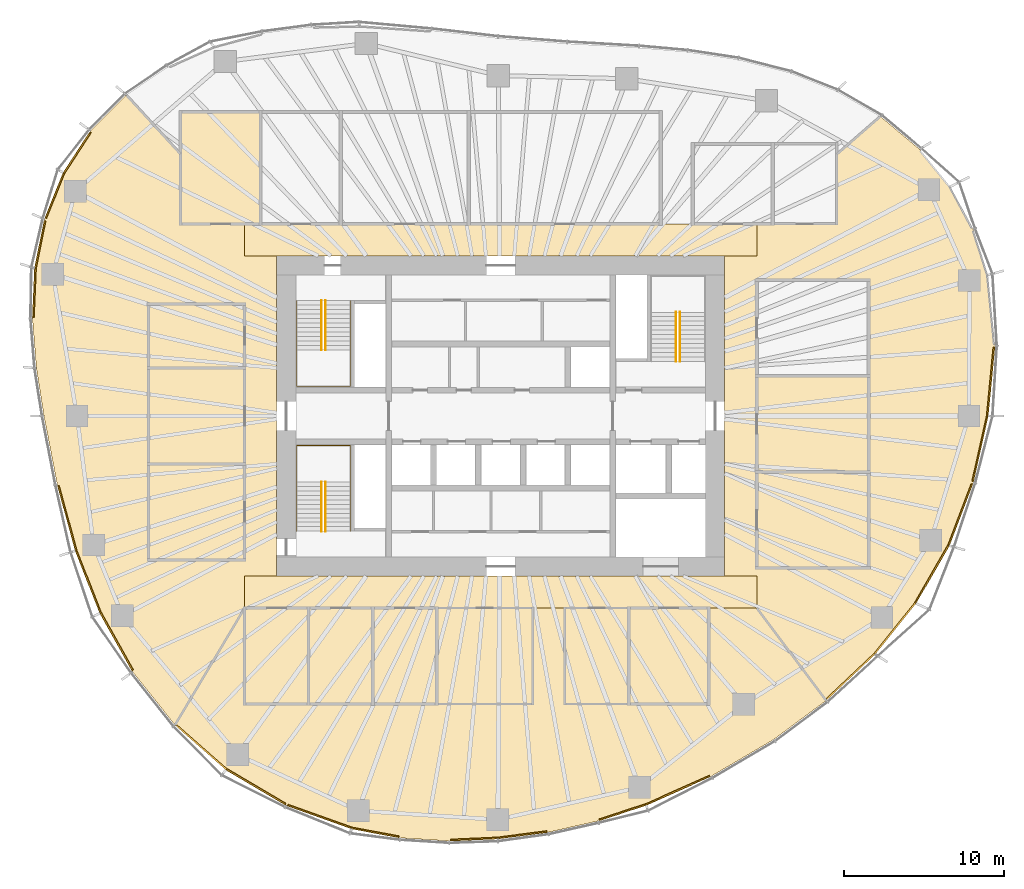
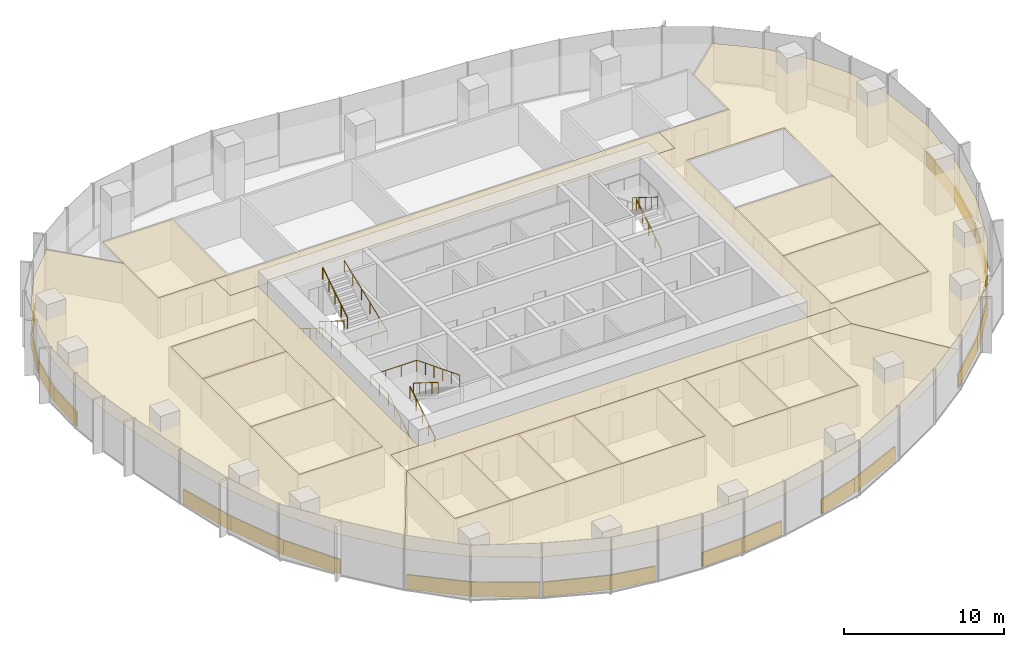
# One storey, part 17 of 18: 38 coverings, 8 railings.
"""IFC4 building model written with IfcOpenShell, lengths in metres."""

import ifcopenshell
import ifcopenshell.guid

model = None  # the IFC model being written
_history = None  # IfcOwnerHistory: only IFC2X3 demands one
_inside = {}  # id of a spatial element -> (the spatial element, [elements in it])
_under = {}  # id of a project, library or spatial element -> (it, [spatial elements below it])
_declared = {}  # id of a project -> (the project, [libraries it declares])
_typed = {}  # id of a type object -> (the type object, [elements of that type])
_made_of = {}  # id of a material, layer set ... -> (it, [elements and type objects made of it])


def new_model(schema):
    """Start an empty IFC model of exactly this schema.

    Asked for "IFC4X3", IfcOpenShell would pick the latest addendum, in which some entities
    have other attributes; the version numbers below select the first issue.
    IFC2X3 requires an IfcOwnerHistory on every rooted entity: one is made here for all.
    """
    global model, _history
    if schema == "IFC4X3":
        model = ifcopenshell.file(schema_version=(4, 3, 0, 0))
    else:
        model = ifcopenshell.file(schema=schema)
    _inside.clear()
    _under.clear()
    _declared.clear()
    _typed.clear()
    _made_of.clear()
    _history = None
    if model.schema == "IFC2X3":
        org = make("IfcOrganization", Name="unknown")
        user = make(
            "IfcPersonAndOrganization",
            ThePerson=make("IfcPerson", FamilyName="unknown"),
            TheOrganization=org,
        )
        app = make(
            "IfcApplication",
            ApplicationDeveloper=org,
            Version="unknown",
            ApplicationFullName="unknown",
            ApplicationIdentifier="unknown",
        )
        _history = make(
            "IfcOwnerHistory",
            OwningUser=user,
            OwningApplication=app,
            ChangeAction="ADDED",
            CreationDate=0,
        )
    return model


def make(cls, **values):
    """One entity of the class cls with the attributes given. An attribute that is None is left unset."""
    return model.create_entity(
        cls, **{name: value for name, value in values.items() if value is not None}
    )


def rooted(cls, **values):
    """An entity with a GlobalId (a new one), such as an element, a storey or a relation."""
    return make(cls, GlobalId=ifcopenshell.guid.new(), OwnerHistory=_history, **values)


def si_unit(unit_type, name, prefix=None):
    """IfcSIUnit, for example si_unit("LENGTHUNIT", "METRE", prefix="MILLI")."""
    return make("IfcSIUnit", UnitType=unit_type, Prefix=prefix, Name=name)


def assignment(units):
    """IfcUnitAssignment: the units of a project."""
    return None if units is None else make("IfcUnitAssignment", Units=units)


def point(xyz):
    """IfcCartesianPoint."""
    return None if xyz is None else make("IfcCartesianPoint", Coordinates=xyz)


def direction(xyz):
    """IfcDirection."""
    return None if xyz is None else make("IfcDirection", DirectionRatios=xyz)


def frame(location, z_axis=None, x_axis=None):
    """IfcAxis2Placement3D, a coordinate frame: its origin and axes. An axis left out is left unset."""
    return make(
        "IfcAxis2Placement3D",
        Location=point(location),
        Axis=direction(z_axis),
        RefDirection=direction(x_axis),
    )


def frame_2d(location, x_axis=None):
    """IfcAxis2Placement2D, a coordinate frame in the plane: its origin and x axis."""
    return make(
        "IfcAxis2Placement2D", Location=point(location), RefDirection=direction(x_axis)
    )


def origin():
    """The frame at (0, 0, 0) with its axes left unset."""
    return frame((0.0, 0.0, 0.0))


def origin_2d():
    """The frame at (0, 0) in the plane with its x axis left unset."""
    return frame_2d((0.0, 0.0))


def place(relative_to, where):
    """IfcLocalPlacement: puts the frame where relative to a parent placement (None: the world)."""
    return make(
        "IfcLocalPlacement", PlacementRelTo=relative_to, RelativePlacement=where
    )


def context(
    kind, dimensions, precision=None, world=None, true_north=None, identifier=None
):
    """IfcGeometricRepresentationContext, for example the 3D "Model" context."""
    return make(
        "IfcGeometricRepresentationContext",
        ContextIdentifier=identifier,
        ContextType=kind,
        CoordinateSpaceDimension=dimensions,
        Precision=precision,
        WorldCoordinateSystem=world,
        TrueNorth=true_north,
    )


def subcontext(parent, identifier, kind, view, scale=None):
    """IfcGeometricRepresentationSubContext, for example "Body" below "Model"."""
    return make(
        "IfcGeometricRepresentationSubContext",
        ContextIdentifier=identifier,
        ContextType=kind,
        ParentContext=parent,
        TargetScale=scale,
        TargetView=view,
    )


def project(units=None, contexts=None):
    """IfcProject with its units and contexts."""
    return rooted(
        "IfcProject",
        Name="project",
        RepresentationContexts=contexts,
        UnitsInContext=assignment(units),
    )


def spatial(cls, under=None, at=None, **own):
    """A site, building, storey or space (cls), placed at a placement, below another one or the project."""
    s = rooted(cls, ObjectPlacement=at, **own)
    if under is not None:
        _under.setdefault(under.id(), (under, []))[1].append(s)
    return s


def polyline(points):
    """IfcPolyline through the points."""
    return make("IfcPolyline", Points=[point(p) for p in points])


def profile(cls, at=None, kind="AREA", **sizes):
    """A parametric profile (cls). Its sizes go by their IFC names, for example OverallWidth=200.0."""
    return make(cls, ProfileType=kind, Position=at, **sizes)


def rectangle(**sizes):
    """IfcRectangleProfileDef."""
    return profile("IfcRectangleProfileDef", **sizes)


def circle(**sizes):
    """IfcCircleProfileDef."""
    return profile("IfcCircleProfileDef", **sizes)


def outline(outer, holes=None, kind="AREA"):
    """IfcArbitraryClosedProfileDef: a profile drawn as a closed curve; with holes, ...WithVoids."""
    if holes is None:
        return make("IfcArbitraryClosedProfileDef", ProfileType=kind, OuterCurve=outer)
    return make(
        "IfcArbitraryProfileDefWithVoids",
        ProfileType=kind,
        OuterCurve=outer,
        InnerCurves=holes,
    )


def extrude(swept, where, along, depth):
    """IfcExtrudedAreaSolid: the profile swept, set in the frame where, extruded along a direction by depth."""
    return make(
        "IfcExtrudedAreaSolid",
        SweptArea=swept,
        Position=where,
        ExtrudedDirection=direction(along),
        Depth=depth,
    )


def shape(context_of_items, identifier, shape_type, items):
    """IfcShapeRepresentation: the items that make up one representation, for example the "Body"."""
    return make(
        "IfcShapeRepresentation",
        ContextOfItems=context_of_items,
        RepresentationIdentifier=identifier,
        RepresentationType=shape_type,
        Items=items,
    )


def material(Name=None, Category=None):
    """IfcMaterial."""
    return make("IfcMaterial", Name=Name, Category=Category)


def layer(
    of_material, thickness, ventilated=None, Name=None, Category=None, Priority=None
):
    """IfcMaterialLayer: one layer of a wall or slab, of a material (None: an air gap)."""
    return make(
        "IfcMaterialLayer",
        Material=of_material,
        LayerThickness=thickness,
        IsVentilated=ventilated,
        Name=Name,
        Category=Category,
        Priority=Priority,
    )


def layer_set(layers, Name=None):
    """IfcMaterialLayerSet."""
    return make("IfcMaterialLayerSet", MaterialLayers=layers, LayerSetName=Name)


def made_of(thing, what):
    """Note that an element or type object is made of a material, layer set ...; save() writes the relation."""
    if what is not None:
        _made_of.setdefault(what.id(), (what, []))[1].append(thing)
    return thing


def type_object(cls, material=None, **own):
    """A type object (cls), such as IfcWallType, which elements share."""
    return made_of(rooted(cls, **own), material)


def element(
    cls,
    number,
    at=None,
    inside=None,
    cuts=None,
    type_object=None,
    material=None,
    context=None,
    identifier="Body",
    shape_type=None,
    held_by="IfcProductDefinitionShape",
    body=None,
    shapes=None,
    **own,
):
    """One element of the class cls, such as IfcWall. Its Tag is "e" and its number.

    at: its placement. inside: the storey or other place that contains it. cuts: it is an
    opening in that element (IfcRelVoidsElement). A single representation is given by context,
    identifier, shape_type and body (its items); several are given by shapes. held_by: the class
    of the entity that holds the representations. save() writes the other relations.
    """
    e = rooted(cls, Tag="e%d" % number, ObjectPlacement=at, **own)
    if body is not None:
        shapes = [shape(context, identifier, shape_type, body)]
    if shapes is not None:
        e.Representation = make(held_by, Representations=shapes)
    if inside is not None:
        _inside.setdefault(inside.id(), (inside, []))[1].append(e)
    if cuts is not None:
        rooted(
            "IfcRelVoidsElement", RelatingBuildingElement=cuts, RelatedOpeningElement=e
        )
    if type_object is not None:
        _typed.setdefault(type_object.id(), (type_object, []))[1].append(e)
    return made_of(e, material)


def aggregate(whole, parts):
    """IfcRelAggregates: a whole, such as a stair, and the parts it consists of."""
    return rooted("IfcRelAggregates", RelatingObject=whole, RelatedObjects=parts)


def save(model, path):
    """Write the relations noted so far, then the file.

    IfcRelAggregates (storeys below a building ...), IfcRelContainedInSpatialStructure (elements
    in a storey), IfcRelDefinesByType, IfcRelAssociatesMaterial and IfcRelDeclares: one each for
    every whole, place, type object, material and project.
    """
    for whole, parts in _under.values():
        aggregate(whole, parts)
    for where, things in _inside.values():
        rooted(
            "IfcRelContainedInSpatialStructure",
            RelatedElements=things,
            RelatingStructure=where,
        )
    for kind, things in _typed.values():
        rooted("IfcRelDefinesByType", RelatedObjects=things, RelatingType=kind)
    for what, things in _made_of.values():
        rooted("IfcRelAssociatesMaterial", RelatedObjects=things, RelatingMaterial=what)
    for by, libraries in _declared.values():
        rooted("IfcRelDeclares", RelatingContext=by, RelatedDefinitions=libraries)
    model.write(path)


model = new_model("IFC4")

# Units and contexts
model_context = context("Model", 3, precision=1e-05, world=origin(), true_north=direction((0.0, 1.0)))
body_context = subcontext(model_context, "Body", "Model", "MODEL_VIEW")
ifc_project = project(units=[si_unit("LENGTHUNIT", "METRE"), si_unit("AREAUNIT", "SQUARE_METRE"), si_unit("VOLUMEUNIT", "CUBIC_METRE"), si_unit("PLANEANGLEUNIT", "RADIAN"), si_unit("MASSUNIT", "GRAM", prefix="KILO")], contexts=[model_context])

# Site, building, storey
site_placement = place(None, origin())
site = spatial("IfcSite", under=ifc_project, at=site_placement, CompositionType="ELEMENT")
building_placement = place(site_placement, origin())
building = spatial("IfcBuilding", under=site, at=building_placement, Name="Ghaith Harvest Tower", CompositionType="ELEMENT")
storey_placement = place(building_placement, frame((0.0, 0.0, 176.39990234375)))
storey = spatial("IfcBuildingStorey", under=building, at=storey_placement, Name="L38", CompositionType="ELEMENT", Elevation=176.39990234375)

# Coverings
ifc_material_1 = material(Name="Mineral fibre ceiling tile", Category="gypsum")
ifc_layer_1 = layer(ifc_material_1, 0.02001953125)
ifc_layer_set_1 = layer_set([ifc_layer_1], Name="CEILING C1")
covering_type_1 = type_object("IfcCoveringType", Name="CEILING C1", PredefinedType="CEILING", material=ifc_layer_set_1)
covering_1_placement = place(storey_placement, frame((0.0, 0.0, 3.0)))
element("IfcCovering", 1, at=covering_1_placement, inside=storey, type_object=covering_type_1, Name="Ceiling L38-01", PredefinedType="CEILING", context=body_context, shape_type="SweptSolid", body=[
    extrude(outline(polyline([(-20.0, 12.0), (-15.0, 12.0), (-15.0, 19.0), (-20.0, 19.0), (-20.0, 12.0)])), origin(), (0.0, 0.0, 1.0), 0.02001953125),
])
covering_2_placement = place(storey_placement, frame((0.0, 0.0, 3.0)))
element("IfcCovering", 2, at=covering_2_placement, inside=storey, type_object=covering_type_1, Name="Ceiling L38-05", PredefinedType="CEILING", context=body_context, shape_type="SweptSolid", body=[
    extrude(outline(polyline([(16.0, -9.5), (23.0, -9.5), (23.0, -3.5), (16.0, -3.5), (16.0, -9.5)])), origin(), (0.0, 0.0, 1.0), 0.02001953125),
])
covering_3_placement = place(storey_placement, frame((0.0, 0.0, 3.0)))
element("IfcCovering", 3, at=covering_3_placement, inside=storey, type_object=covering_type_1, Name="Ceiling L38-06", PredefinedType="CEILING", context=body_context, shape_type="SweptSolid", body=[
    extrude(outline(polyline([(16.0, -3.5), (23.0, -3.5), (23.0, 2.5), (16.0, 2.5), (16.0, -3.5)])), origin(), (0.0, 0.0, 1.0), 0.02001953125),
])
covering_4_placement = place(storey_placement, frame((0.0, 0.0, 3.0)))
element("IfcCovering", 4, at=covering_4_placement, inside=storey, type_object=covering_type_1, Name="Ceiling L38-08", PredefinedType="CEILING", context=body_context, shape_type="SweptSolid", body=[
    extrude(outline(polyline([(-16.0, -18.0), (-12.0, -18.0), (-12.0, -12.0), (-16.0, -12.0), (-16.0, -18.0)])), origin(), (0.0, 0.0, 1.0), 0.02001953125),
])
covering_5_placement = place(storey_placement, frame((0.0, 0.0, 3.0)))
element("IfcCovering", 5, at=covering_5_placement, inside=storey, type_object=covering_type_1, Name="Ceiling L38-09", PredefinedType="CEILING", context=body_context, shape_type="SweptSolid", body=[
    extrude(outline(polyline([(-12.0, -18.0), (-8.0, -18.0), (-8.0, -12.0), (-12.0, -12.0), (-12.0, -18.0)])), origin(), (0.0, 0.0, 1.0), 0.02001953125),
])
covering_6_placement = place(storey_placement, frame((0.0, 0.0, 3.0)))
element("IfcCovering", 6, at=covering_6_placement, inside=storey, type_object=covering_type_1, Name="Ceiling L38-10", PredefinedType="CEILING", context=body_context, shape_type="SweptSolid", body=[
    extrude(outline(polyline([(-8.0, -18.0), (-4.0, -18.0), (-4.0, -12.0), (-8.0, -12.0), (-8.0, -18.0)])), origin(), (0.0, 0.0, 1.0), 0.02001953125),
])
covering_7_placement = place(storey_placement, frame((0.0, 0.0, 3.0)))
element("IfcCovering", 7, at=covering_7_placement, inside=storey, type_object=covering_type_1, Name="Ceiling L38-11", PredefinedType="CEILING", context=body_context, shape_type="SweptSolid", body=[
    extrude(outline(polyline([(-4.0, -18.0), (2.0, -18.0), (2.0, -12.0), (-4.0, -12.0), (-4.0, -18.0)])), origin(), (0.0, 0.0, 1.0), 0.02001953125),
])
covering_8_placement = place(storey_placement, frame((0.0, 0.0, 3.0)))
element("IfcCovering", 8, at=covering_8_placement, inside=storey, type_object=covering_type_1, Name="Ceiling L38-12", PredefinedType="CEILING", context=body_context, shape_type="SweptSolid", body=[
    extrude(outline(polyline([(4.0, -18.0), (8.0, -18.0), (8.0, -12.0), (4.0, -12.0), (4.0, -18.0)])), origin(), (0.0, 0.0, 1.0), 0.02001953125),
])
covering_9_placement = place(storey_placement, frame((0.0, 0.0, 3.0)))
element("IfcCovering", 9, at=covering_9_placement, inside=storey, type_object=covering_type_1, Name="Ceiling L38-13", PredefinedType="CEILING", context=body_context, shape_type="SweptSolid", body=[
    extrude(outline(polyline([(8.0, -18.0), (13.0, -18.0), (13.0, -12.0), (8.0, -12.0), (8.0, -18.0)])), origin(), (0.0, 0.0, 1.0), 0.02001953125),
])
covering_10_placement = place(storey_placement, frame((0.0, 0.0, 3.0)))
element("IfcCovering", 10, at=covering_10_placement, inside=storey, type_object=covering_type_1, Name="Ceiling L38-14", PredefinedType="CEILING", context=body_context, shape_type="SweptSolid", body=[
    extrude(outline(polyline([(-22.0, -9.0), (-16.0, -9.0), (-16.0, -3.0), (-22.0, -3.0), (-22.0, -9.0)])), origin(), (0.0, 0.0, 1.0), 0.02001953125),
])
covering_11_placement = place(storey_placement, frame((0.0, 0.0, 3.0)))
element("IfcCovering", 11, at=covering_11_placement, inside=storey, type_object=covering_type_1, Name="Ceiling L38-15", PredefinedType="CEILING", context=body_context, shape_type="SweptSolid", body=[
    extrude(outline(polyline([(-22.0, -3.0), (-16.0, -3.0), (-16.0, 3.0), (-22.0, 3.0), (-22.0, -3.0)])), origin(), (0.0, 0.0, 1.0), 0.02001953125),
])
covering_12_placement = place(storey_placement, frame((0.0, 0.0, 3.0)))
element("IfcCovering", 12, at=covering_12_placement, inside=storey, type_object=covering_type_1, Name="Ceiling L38-16", PredefinedType="CEILING", context=body_context, shape_type="SweptSolid", body=[
    extrude(outline(polyline([(-22.0, 3.0), (-16.0, 3.0), (-16.0, 7.0), (-22.0, 7.0), (-22.0, 3.0)])), origin(), (0.0, 0.0, 1.0), 0.02001953125),
])
covering_13_placement = place(storey_placement, frame((0.0, 0.0, 3.0)))
element("IfcCovering", 13, at=covering_13_placement, inside=storey, type_object=covering_type_1, Name="Ceiling L38-C1", PredefinedType="CEILING", context=body_context, shape_type="SweptSolid", body=[
    extrude(outline(polyline([(16.0, 10.0), (-16.0, 10.0), (-16.0, 12.0), (16.0, 12.0), (16.0, 10.0)])), origin(), (0.0, 0.0, 1.0), 0.02001953125),
])
covering_14_placement = place(storey_placement, frame((0.0, 0.0, 3.0)))
element("IfcCovering", 14, at=covering_14_placement, inside=storey, type_object=covering_type_1, Name="Ceiling L38-C2", PredefinedType="CEILING", context=body_context, shape_type="SweptSolid", body=[
    extrude(outline(polyline([(-16.0, -10.0), (16.0, -10.0), (16.0, -12.0), (-16.0, -12.0), (-16.0, -10.0)])), origin(), (0.0, 0.0, 1.0), 0.02001953125),
])
covering_15_placement = place(storey_placement, frame((0.0, 0.0, 3.0)))
element("IfcCovering", 15, at=covering_15_placement, inside=storey, type_object=covering_type_1, Name="Ceiling L38-E1", PredefinedType="CEILING", context=body_context, shape_type="SweptSolid", body=[
    extrude(outline(polyline([(26.179443359375, 16.660888671875), (28.0888671875, 14.32568359375), (29.52294921875, 11.671875), (30.439208984375, 8.797607421875), (30.8798828125, 4.373046875), (30.458740234375, 0.0), (29.527099609375, -4.181396484375), (28.03125, -8.1015625), (25.94775390625, -11.714111328125), (23.400390625, -14.89208984375), (20.33935546875, -17.784912109375), (16.0, -12.0), (16.0, -10.0), (14.0, -10.0), (14.0, 10.0), (16.0, 10.0), (16.0, 12.0), (21.0, 12.0), (21.0, 16.3466796875), (23.7275390625, 18.718017578125), (26.179443359375, 16.660888671875)]), holes=[polyline([(16.0, -9.5), (23.0, -9.5), (23.0, 8.5), (16.0, 8.5), (16.0, -9.5)])]), origin(), (0.0, 0.0, 1.0), 0.02001953125),
])
covering_16_placement = place(storey_placement, frame((0.0, 0.0, 3.0)))
element("IfcCovering", 16, at=covering_16_placement, inside=storey, type_object=covering_type_1, Name="Ceiling L38-S1", PredefinedType="CEILING", context=body_context, shape_type="SweptSolid", body=[
    extrude(outline(polyline([(17.054443359375, -20.22412109375), (13.163818359375, -22.510498046875), (9.09423828125, -24.326904296875), (6.09228515625, -25.308837890625), (2.99609375, -26.010009765625), (-0.180908203125, -26.423583984375), (-3.204833984375, -26.556884765625), (-6.2666015625, -26.366455078125), (-9.317138671875, -25.79638671875), (-13.4052734375, -24.33740234375), (-17.1728515625, -22.11181640625), (-20.35400390625, -19.31396484375), (-16.0, -12.0), (-16.0, -18.0), (2.0, -18.0), (2.0, -12.0), (4.0, -12.0), (4.0, -18.0), (13.0, -18.0), (13.0, -12.0), (16.0, -12.0), (20.33935546875, -17.784912109375), (17.054443359375, -20.22412109375)])), origin(), (0.0, 0.0, 1.0), 0.02001953125),
])
covering_17_placement = place(storey_placement, frame((0.0, 0.0, 3.0)))
element("IfcCovering", 17, at=covering_17_placement, inside=storey, type_object=covering_type_1, Name="Ceiling L38-W1", PredefinedType="CEILING", context=body_context, shape_type="SweptSolid", body=[
    extrude(outline(polyline([(-27.70947265625, -4.285888671875), (-28.541259765625, 0.0), (-29.01171875, 2.978271484375), (-29.260498046875, 6.07177734375), (-29.12646484375, 9.230712890625), (-28.506591796875, 12.29638671875), (-27.33837890625, 15.204833984375), (-25.61962890625, 17.826416015625), (-23.398193359375, 20.06103515625), (-20.0, 16.3583984375), (-20.0, 12.0), (-16.0, 12.0), (-16.0, 10.0), (-14.0, 10.0), (-14.0, -10.0), (-16.0, -10.0), (-16.0, -12.0), (-20.35400390625, -19.31396484375), (-22.99169921875, -15.997802734375), (-25.046875, -12.32861328125), (-26.580078125, -8.423583984375), (-27.70947265625, -4.285888671875)]), holes=[polyline([(-22.0, 7.0), (-22.0, -9.0), (-16.0, -9.0), (-16.0, 7.0), (-22.0, 7.0)])]), origin(), (0.0, 0.0, 1.0), 0.02001953125),
])

# Railings
ifc_material_2 = material(Name="Steel, black powder-coated", Category="steel")
railing_type = type_object("IfcRailingType", Name="HANDRAIL HR1", PredefinedType="HANDRAIL", material=ifc_material_2)
railing_1_placement = place(storey_placement, frame((-11.199951171875, 7.199951171875, 0.175048828125)))
element("IfcRailing", 18, at=railing_1_placement, inside=storey, type_object=railing_type, Name="Handrail HR1 stair ST1 L38 flight 1 inner", PredefinedType="HANDRAIL", context=body_context, shape_type="SweptSolid", body=[
    extrude(circle(Radius=0.02392578125, at=origin_2d()), frame((0.0, 0.0, 0.8759765625), z_axis=(0.0, -0.847979421464, 0.530029150871), x_axis=(1.0, 0.0, 0.0)), (0.0, 0.0, 1.0), 3.632080078125),
    extrude(circle(Radius=0.02099609375, at=origin_2d()), origin(), (0.0, 0.0, 1.0), 0.851806640625),
    extrude(circle(Radius=0.02099609375, at=origin_2d()), frame((0.0, -0.77001953125, 0.481201171875)), (0.0, 0.0, 1.0), 0.851806640625),
    extrude(circle(Radius=0.02099609375, at=origin_2d()), frame((0.0, -1.5400390625, 0.96240234375)), (0.0, 0.0, 1.0), 0.851806640625),
    extrude(circle(Radius=0.02099609375, at=origin_2d()), frame((0.0, -2.309814453125, 1.44384765625)), (0.0, 0.0, 1.0), 0.851806640625),
    extrude(circle(Radius=0.02099609375, at=origin_2d()), frame((0.0, -3.079833984375, 1.925048828125)), (0.0, 0.0, 1.0), 0.851806640625),
])
railing_2_placement = place(storey_placement, frame((-10.949951171875, 4.1201171875, 2.275146484375)))
element("IfcRailing", 19, at=railing_2_placement, inside=storey, type_object=railing_type, Name="Handrail HR1 stair ST1 L38 flight 2 inner", PredefinedType="HANDRAIL", context=body_context, shape_type="SweptSolid", body=[
    extrude(circle(Radius=0.02392578125, at=origin_2d()), frame((0.0, 0.0, 0.8759765625), z_axis=(0.0, 0.847979421464, 0.530029150871), x_axis=(-1.0, 0.0, 0.0)), (0.0, 0.0, 1.0), 3.632080078125),
    extrude(circle(Radius=0.02099609375, at=origin_2d()), origin(), (0.0, 0.0, 1.0), 0.851806640625),
    extrude(circle(Radius=0.02099609375, at=origin_2d()), frame((0.0, 0.77001953125, 0.481201171875)), (0.0, 0.0, 1.0), 0.851806640625),
    extrude(circle(Radius=0.02099609375, at=origin_2d()), frame((0.0, 1.5400390625, 0.96240234375)), (0.0, 0.0, 1.0), 0.851806640625),
    extrude(circle(Radius=0.02099609375, at=origin_2d()), frame((0.0, 2.309814453125, 1.44384765625)), (0.0, 0.0, 1.0), 0.851806640625),
    extrude(circle(Radius=0.02099609375, at=origin_2d()), frame((0.0, 3.079833984375, 1.925048828125)), (0.0, 0.0, 1.0), 0.851806640625),
])
railing_3_placement = place(storey_placement, frame((-12.75, 7.199951171875, 0.175048828125)))
element("IfcRailing", 20, at=railing_3_placement, inside=storey, type_object=railing_type, Name="Handrail HR1 stair ST1 L38 wall side", PredefinedType="HANDRAIL", context=body_context, shape_type="SweptSolid", body=[
    extrude(circle(Radius=0.02392578125, at=origin_2d()), frame((0.0, 0.0, 0.8759765625), z_axis=(0.0, -0.847979421464, 0.530029150871), x_axis=(1.0, 0.0, 0.0)), (0.0, 0.0, 1.0), 3.632080078125),
    extrude(circle(Radius=0.02392578125, at=origin_2d()), frame((0.0, -3.079833984375, 2.80078125), z_axis=(0.0, -1.0, 0.0), x_axis=(1.0, 0.0, 0.0)), (0.0, 0.0, 1.0), 2.27001953125),
    extrude(circle(Radius=0.02392578125, at=origin_2d()), frame((0.0, -5.349853515625, 2.80078125), z_axis=(1.0, 0.0, 0.0), x_axis=(0.0, 1.0, 0.0)), (0.0, 0.0, 1.0), 3.35009765625),
    extrude(circle(Radius=0.02392578125, at=origin_2d()), frame((3.35009765625, -5.349853515625, 2.80078125), z_axis=(0.0, 0.930848013298, 0.36540659017), x_axis=(-1.0, 0.0, 0.0)), (0.0, 0.0, 1.0), 5.747314453125),
    extrude(circle(Radius=0.02099609375, at=origin_2d()), origin(), (0.0, 0.0, 1.0), 0.851806640625),
    extrude(circle(Radius=0.02099609375, at=origin_2d()), frame((0.0, -0.77001953125, 0.481201171875)), (0.0, 0.0, 1.0), 0.851806640625),
    extrude(circle(Radius=0.02099609375, at=origin_2d()), frame((0.0, -1.5400390625, 0.96240234375)), (0.0, 0.0, 1.0), 0.851806640625),
    extrude(circle(Radius=0.02099609375, at=origin_2d()), frame((0.0, -2.309814453125, 1.44384765625)), (0.0, 0.0, 1.0), 0.851806640625),
    extrude(circle(Radius=0.02099609375, at=origin_2d()), frame((0.0, -3.079833984375, 1.925048828125)), (0.0, 0.0, 1.0), 0.851806640625),
    extrude(circle(Radius=0.02099609375, at=origin_2d()), frame((0.0, -4.21484375, 1.925048828125)), (0.0, 0.0, 1.0), 0.851806640625),
    extrude(circle(Radius=0.02099609375, at=origin_2d()), frame((0.0, -5.349853515625, 1.925048828125)), (0.0, 0.0, 1.0), 0.851806640625),
    extrude(circle(Radius=0.02099609375, at=origin_2d()), frame((1.11669921875, -5.349853515625, 1.925048828125)), (0.0, 0.0, 1.0), 0.851806640625),
    extrude(circle(Radius=0.02099609375, at=origin_2d()), frame((2.2333984375, -5.349853515625, 1.925048828125)), (0.0, 0.0, 1.0), 0.851806640625),
    extrude(circle(Radius=0.02099609375, at=origin_2d()), frame((3.35009765625, -5.349853515625, 1.925048828125)), (0.0, 0.0, 1.0), 0.851806640625),
    extrude(circle(Radius=0.02099609375, at=origin_2d()), frame((3.35009765625, -4.27978515625, 2.344970703125)), (0.0, 0.0, 1.0), 0.851806640625),
    extrude(circle(Radius=0.02099609375, at=origin_2d()), frame((3.35009765625, -3.2099609375, 2.76513671875)), (0.0, 0.0, 1.0), 0.851806640625),
    extrude(circle(Radius=0.02099609375, at=origin_2d()), frame((3.35009765625, -2.139892578125, 3.18505859375)), (0.0, 0.0, 1.0), 0.851806640625),
    extrude(circle(Radius=0.02099609375, at=origin_2d()), frame((3.35009765625, -1.070068359375, 3.605224609375)), (0.0, 0.0, 1.0), 0.851806640625),
    extrude(circle(Radius=0.02099609375, at=origin_2d()), frame((3.35009765625, 0.0, 4.025146484375)), (0.0, 0.0, 1.0), 0.851806640625),
])
railing_4_placement = place(storey_placement, frame((-11.199951171875, -7.199951171875, 0.175048828125)))
element("IfcRailing", 21, at=railing_4_placement, inside=storey, type_object=railing_type, Name="Handrail HR1 stair ST3 L38 flight 1 inner", PredefinedType="HANDRAIL", context=body_context, shape_type="SweptSolid", body=[
    extrude(circle(Radius=0.02392578125, at=origin_2d()), frame((0.0, 0.0, 0.8759765625), z_axis=(0.0, 0.847979421464, 0.530029150871), x_axis=(-1.0, 0.0, 0.0)), (0.0, 0.0, 1.0), 3.632080078125),
    extrude(circle(Radius=0.02099609375, at=origin_2d()), origin(), (0.0, 0.0, 1.0), 0.851806640625),
    extrude(circle(Radius=0.02099609375, at=origin_2d()), frame((0.0, 0.77001953125, 0.481201171875)), (0.0, 0.0, 1.0), 0.851806640625),
    extrude(circle(Radius=0.02099609375, at=origin_2d()), frame((0.0, 1.5400390625, 0.96240234375)), (0.0, 0.0, 1.0), 0.851806640625),
    extrude(circle(Radius=0.02099609375, at=origin_2d()), frame((0.0, 2.309814453125, 1.44384765625)), (0.0, 0.0, 1.0), 0.851806640625),
    extrude(circle(Radius=0.02099609375, at=origin_2d()), frame((0.0, 3.079833984375, 1.925048828125)), (0.0, 0.0, 1.0), 0.851806640625),
])
railing_5_placement = place(storey_placement, frame((-10.949951171875, -4.1201171875, 2.275146484375)))
element("IfcRailing", 22, at=railing_5_placement, inside=storey, type_object=railing_type, Name="Handrail HR1 stair ST3 L38 flight 2 inner", PredefinedType="HANDRAIL", context=body_context, shape_type="SweptSolid", body=[
    extrude(circle(Radius=0.02392578125, at=origin_2d()), frame((0.0, 0.0, 0.8759765625), z_axis=(0.0, -0.847979421464, 0.530029150871), x_axis=(1.0, 0.0, 0.0)), (0.0, 0.0, 1.0), 3.632080078125),
    extrude(circle(Radius=0.02099609375, at=origin_2d()), origin(), (0.0, 0.0, 1.0), 0.851806640625),
    extrude(circle(Radius=0.02099609375, at=origin_2d()), frame((0.0, -0.77001953125, 0.481201171875)), (0.0, 0.0, 1.0), 0.851806640625),
    extrude(circle(Radius=0.02099609375, at=origin_2d()), frame((0.0, -1.5400390625, 0.96240234375)), (0.0, 0.0, 1.0), 0.851806640625),
    extrude(circle(Radius=0.02099609375, at=origin_2d()), frame((0.0, -2.309814453125, 1.44384765625)), (0.0, 0.0, 1.0), 0.851806640625),
    extrude(circle(Radius=0.02099609375, at=origin_2d()), frame((0.0, -3.079833984375, 1.925048828125)), (0.0, 0.0, 1.0), 0.851806640625),
])
railing_6_placement = place(storey_placement, frame((-12.75, -7.199951171875, 0.175048828125)))
element("IfcRailing", 23, at=railing_6_placement, inside=storey, type_object=railing_type, Name="Handrail HR1 stair ST3 L38 wall side", PredefinedType="HANDRAIL", context=body_context, shape_type="SweptSolid", body=[
    extrude(circle(Radius=0.02392578125, at=origin_2d()), frame((0.0, 0.0, 0.8759765625), z_axis=(0.0, 0.847979421464, 0.530029150871), x_axis=(-1.0, 0.0, 0.0)), (0.0, 0.0, 1.0), 3.632080078125),
    extrude(circle(Radius=0.02392578125, at=origin_2d()), frame((0.0, 3.079833984375, 2.80078125), z_axis=(0.0, 1.0, 0.0), x_axis=(-1.0, 0.0, 0.0)), (0.0, 0.0, 1.0), 2.27001953125),
    extrude(circle(Radius=0.02392578125, at=origin_2d()), frame((0.0, 5.349853515625, 2.80078125), z_axis=(1.0, 0.0, 0.0), x_axis=(0.0, 1.0, 0.0)), (0.0, 0.0, 1.0), 3.35009765625),
    extrude(circle(Radius=0.02392578125, at=origin_2d()), frame((3.35009765625, 5.349853515625, 2.80078125), z_axis=(0.0, -0.930848013298, 0.36540659017), x_axis=(1.0, 0.0, 0.0)), (0.0, 0.0, 1.0), 5.747314453125),
    extrude(circle(Radius=0.02099609375, at=origin_2d()), origin(), (0.0, 0.0, 1.0), 0.851806640625),
    extrude(circle(Radius=0.02099609375, at=origin_2d()), frame((0.0, 0.77001953125, 0.481201171875)), (0.0, 0.0, 1.0), 0.851806640625),
    extrude(circle(Radius=0.02099609375, at=origin_2d()), frame((0.0, 1.5400390625, 0.96240234375)), (0.0, 0.0, 1.0), 0.851806640625),
    extrude(circle(Radius=0.02099609375, at=origin_2d()), frame((0.0, 2.309814453125, 1.44384765625)), (0.0, 0.0, 1.0), 0.851806640625),
    extrude(circle(Radius=0.02099609375, at=origin_2d()), frame((0.0, 3.079833984375, 1.925048828125)), (0.0, 0.0, 1.0), 0.851806640625),
    extrude(circle(Radius=0.02099609375, at=origin_2d()), frame((0.0, 4.21484375, 1.925048828125)), (0.0, 0.0, 1.0), 0.851806640625),
    extrude(circle(Radius=0.02099609375, at=origin_2d()), frame((0.0, 5.349853515625, 1.925048828125)), (0.0, 0.0, 1.0), 0.851806640625),
    extrude(circle(Radius=0.02099609375, at=origin_2d()), frame((1.11669921875, 5.349853515625, 1.925048828125)), (0.0, 0.0, 1.0), 0.851806640625),
    extrude(circle(Radius=0.02099609375, at=origin_2d()), frame((2.2333984375, 5.349853515625, 1.925048828125)), (0.0, 0.0, 1.0), 0.851806640625),
    extrude(circle(Radius=0.02099609375, at=origin_2d()), frame((3.35009765625, 5.349853515625, 1.925048828125)), (0.0, 0.0, 1.0), 0.851806640625),
    extrude(circle(Radius=0.02099609375, at=origin_2d()), frame((3.35009765625, 4.27978515625, 2.344970703125)), (0.0, 0.0, 1.0), 0.851806640625),
    extrude(circle(Radius=0.02099609375, at=origin_2d()), frame((3.35009765625, 3.2099609375, 2.76513671875)), (0.0, 0.0, 1.0), 0.851806640625),
    extrude(circle(Radius=0.02099609375, at=origin_2d()), frame((3.35009765625, 2.139892578125, 3.18505859375)), (0.0, 0.0, 1.0), 0.851806640625),
    extrude(circle(Radius=0.02099609375, at=origin_2d()), frame((3.35009765625, 1.070068359375, 3.605224609375)), (0.0, 0.0, 1.0), 0.851806640625),
    extrude(circle(Radius=0.02099609375, at=origin_2d()), frame((3.35009765625, 0.0, 4.025146484375)), (0.0, 0.0, 1.0), 0.851806640625),
])
railing_7_placement = place(storey_placement, frame((11.199951171875, 3.39990234375, 0.175048828125)))
element("IfcRailing", 24, at=railing_7_placement, inside=storey, type_object=railing_type, Name="Handrail HR1 stair ST2 L38 flight 1 inner", PredefinedType="HANDRAIL", context=body_context, shape_type="SweptSolid", body=[
    extrude(circle(Radius=0.02392578125, at=origin_2d()), frame((0.0, 0.0, 0.8759765625), z_axis=(0.0, 0.847998304005, 0.529998940003), x_axis=(-1.0, 0.0, 0.0)), (0.0, 0.0, 1.0), 3.632080078125),
    extrude(circle(Radius=0.02099609375, at=origin_2d()), origin(), (0.0, 0.0, 1.0), 0.851806640625),
    extrude(circle(Radius=0.02099609375, at=origin_2d()), frame((0.0, 0.77001953125, 0.481201171875)), (0.0, 0.0, 1.0), 0.851806640625),
    extrude(circle(Radius=0.02099609375, at=origin_2d()), frame((0.0, 1.5400390625, 0.96240234375)), (0.0, 0.0, 1.0), 0.851806640625),
    extrude(circle(Radius=0.02099609375, at=origin_2d()), frame((0.0, 2.31005859375, 1.44384765625)), (0.0, 0.0, 1.0), 0.851806640625),
    extrude(circle(Radius=0.02099609375, at=origin_2d()), frame((0.0, 3.080078125, 1.925048828125)), (0.0, 0.0, 1.0), 0.851806640625),
])
railing_8_placement = place(storey_placement, frame((10.949951171875, 6.47998046875, 2.275146484375)))
element("IfcRailing", 25, at=railing_8_placement, inside=storey, type_object=railing_type, Name="Handrail HR1 stair ST2 L38 flight 2 inner", PredefinedType="HANDRAIL", context=body_context, shape_type="SweptSolid", body=[
    extrude(circle(Radius=0.02392578125, at=origin_2d()), frame((0.0, 0.0, 0.8759765625), z_axis=(0.0, -0.847998304005, 0.529998940003), x_axis=(1.0, 0.0, 0.0)), (0.0, 0.0, 1.0), 3.632080078125),
    extrude(circle(Radius=0.02099609375, at=origin_2d()), origin(), (0.0, 0.0, 1.0), 0.851806640625),
    extrude(circle(Radius=0.02099609375, at=origin_2d()), frame((0.0, -0.77001953125, 0.481201171875)), (0.0, 0.0, 1.0), 0.851806640625),
    extrude(circle(Radius=0.02099609375, at=origin_2d()), frame((0.0, -1.5400390625, 0.96240234375)), (0.0, 0.0, 1.0), 0.851806640625),
    extrude(circle(Radius=0.02099609375, at=origin_2d()), frame((0.0, -2.31005859375, 1.44384765625)), (0.0, 0.0, 1.0), 0.851806640625),
    extrude(circle(Radius=0.02099609375, at=origin_2d()), frame((0.0, -3.080078125, 1.925048828125)), (0.0, 0.0, 1.0), 0.851806640625),
])

# Coverings
ifc_material_3 = material(Name="Insulated aluminium spandrel panel on steel framing", Category="steel")
ifc_layer_2 = layer(ifc_material_3, 0.10009765625)
ifc_layer_set_2 = layer_set([ifc_layer_2], Name="SLAB EDGE UPSTAND 1100x100")
covering_type_2 = type_object("IfcCoveringType", Name="SLAB EDGE UPSTAND 1100x100", PredefinedType="CLADDING", material=ifc_layer_set_2)
covering_18_placement = place(storey_placement, frame((30.61474609375, 2.1416015625, 0.0), z_axis=(0.0, 0.0, 1.0), x_axis=(0.095861332319, 0.99539469808, 0.0)))
element("IfcCovering", 26, at=covering_18_placement, inside=storey, type_object=covering_type_2, Name="Slab edge upstand 1 bay 01 L38", PredefinedType="CLADDING", context=body_context, shape_type="SweptSolid", body=[
    extrude(rectangle(XDim=4.293212890625, YDim=0.10009765625, at=origin_2d()), origin(), (0.0, 0.0, 1.0), 1.10009765625),
])
covering_19_placement = place(storey_placement, frame((-26.464599609375, 16.4462890625, 0.0), z_axis=(0.0, 0.0, 1.0), x_axis=(-0.548312211554, -0.836273710373, 0.0)))
element("IfcCovering", 27, at=covering_19_placement, inside=storey, type_object=covering_type_2, Name="Slab edge upstand 1 bay 09 L38", PredefinedType="CLADDING", context=body_context, shape_type="SweptSolid", body=[
    extrude(rectangle(XDim=3.03466796875, YDim=0.10009765625, at=origin_2d()), origin(), (0.0, 0.0, 1.0), 1.10009765625),
])
covering_20_placement = place(storey_placement, frame((-27.857421875, 13.7783203125, 0.0), z_axis=(0.0, 0.0, 1.0), x_axis=(-0.372732078847, -0.927939005215, 0.0)))
element("IfcCovering", 28, at=covering_20_placement, inside=storey, type_object=covering_type_2, Name="Slab edge upstand 2 bay 09 L38", PredefinedType="CLADDING", context=body_context, shape_type="SweptSolid", body=[
    extrude(rectangle(XDim=3.034423828125, YDim=0.10009765625, at=origin_2d()), origin(), (0.0, 0.0, 1.0), 1.10009765625),
])
covering_21_placement = place(storey_placement, frame((-28.777587890625, 10.70458984375, 0.0), z_axis=(0.0, 0.0, 1.0), x_axis=(-0.198182542943, -0.980165128778, 0.0)))
element("IfcCovering", 29, at=covering_21_placement, inside=storey, type_object=covering_type_2, Name="Slab edge upstand 3 bay 09 L38", PredefinedType="CLADDING", context=body_context, shape_type="SweptSolid", body=[
    extrude(rectangle(XDim=3.027587890625, YDim=0.10009765625, at=origin_2d()), origin(), (0.0, 0.0, 1.0), 1.10009765625),
])
covering_22_placement = place(storey_placement, frame((-29.141357421875, 7.69921875, 0.0), z_axis=(0.0, 0.0, 1.0), x_axis=(-0.042372799788, -0.9991018696, 0.0)))
element("IfcCovering", 30, at=covering_22_placement, inside=storey, type_object=covering_type_2, Name="Slab edge upstand 1 bay 10 L38", PredefinedType="CLADDING", context=body_context, shape_type="SweptSolid", body=[
    extrude(rectangle(XDim=3.061767578125, YDim=0.10009765625, at=origin_2d()), origin(), (0.0, 0.0, 1.0), 1.10009765625),
])
covering_23_placement = place(storey_placement, frame((-27.08349609375, -6.389892578125, 0.0), z_axis=(0.0, 0.0, 1.0), x_axis=(0.263287721652, -0.964717355305, 0.0)))
element("IfcCovering", 31, at=covering_23_placement, inside=storey, type_object=covering_type_2, Name="Slab edge upstand 2 bay 11 L38", PredefinedType="CLADDING", context=body_context, shape_type="SweptSolid", body=[
    extrude(rectangle(XDim=4.189208984375, YDim=0.10009765625, at=origin_2d()), origin(), (0.0, 0.0, 1.0), 1.10009765625),
])
covering_24_placement = place(storey_placement, frame((-25.76708984375, -10.35791015625, 0.0), z_axis=(0.0, 0.0, 1.0), x_axis=(0.365514970008, -0.930805461254, 0.0)))
element("IfcCovering", 32, at=covering_24_placement, inside=storey, type_object=covering_type_2, Name="Slab edge upstand 1 bay 12 L38", PredefinedType="CLADDING", context=body_context, shape_type="SweptSolid", body=[
    extrude(rectangle(XDim=4.195068359375, YDim=0.10009765625, at=origin_2d()), origin(), (0.0, 0.0, 1.0), 1.10009765625),
])
covering_25_placement = place(storey_placement, frame((-24.0, -14.09521484375, 0.0), z_axis=(0.0, 0.0, 1.0), x_axis=(0.488683758288, -0.872460993045, 0.0)))
element("IfcCovering", 33, at=covering_25_placement, inside=storey, type_object=covering_type_2, Name="Slab edge upstand 2 bay 12 L38", PredefinedType="CLADDING", context=body_context, shape_type="SweptSolid", body=[
    extrude(rectangle(XDim=4.10546875, YDim=0.10009765625, at=origin_2d()), origin(), (0.0, 0.0, 1.0), 1.10009765625),
])
covering_26_placement = place(storey_placement, frame((-18.69287109375, -20.70849609375, 0.0), z_axis=(0.0, 0.0, 1.0), x_axis=(0.75089221411, -0.660424774511, 0.0)))
element("IfcCovering", 34, at=covering_26_placement, inside=storey, type_object=covering_type_2, Name="Slab edge upstand 2 bay 13 L38", PredefinedType="CLADDING", context=body_context, shape_type="SweptSolid", body=[
    extrude(rectangle(XDim=4.136474609375, YDim=0.10009765625, at=origin_2d()), origin(), (0.0, 0.0, 1.0), 1.10009765625),
])
covering_27_placement = place(storey_placement, frame((-15.306640625, -23.15625, 0.0), z_axis=(0.0, 0.0, 1.0), x_axis=(0.861020519069, -0.508570217121, 0.0)))
element("IfcCovering", 35, at=covering_27_placement, inside=storey, type_object=covering_type_2, Name="Slab edge upstand 1 bay 14 L38", PredefinedType="CLADDING", context=body_context, shape_type="SweptSolid", body=[
    extrude(rectangle(XDim=4.27587890625, YDim=0.10009765625, at=origin_2d()), origin(), (0.0, 0.0, 1.0), 1.10009765625),
])
covering_28_placement = place(storey_placement, frame((-11.29736328125, -25.03662109375, 0.0), z_axis=(0.0, 0.0, 1.0), x_axis=(0.941807015649, -0.336154049915, 0.0)))
element("IfcCovering", 36, at=covering_28_placement, inside=storey, type_object=covering_type_2, Name="Slab edge upstand 2 bay 14 L38", PredefinedType="CLADDING", context=body_context, shape_type="SweptSolid", body=[
    extrude(rectangle(XDim=4.24072265625, YDim=0.10009765625, at=origin_2d()), origin(), (0.0, 0.0, 1.0), 1.10009765625),
])
covering_29_placement = place(storey_placement, frame((-7.831787109375, -26.023193359375, 0.0), z_axis=(0.0, 0.0, 1.0), x_axis=(0.982990071164, -0.183658705191, 0.0)))
element("IfcCovering", 37, at=covering_29_placement, inside=storey, type_object=covering_type_2, Name="Slab edge upstand 1 bay 15 L38", PredefinedType="CLADDING", context=body_context, shape_type="SweptSolid", body=[
    extrude(rectangle(XDim=3.003173828125, YDim=0.10009765625, at=origin_2d()), origin(), (0.0, 0.0, 1.0), 1.10009765625),
])
covering_30_placement = place(storey_placement, frame((-1.64501953125, -26.43798828125, 0.0), z_axis=(0.0, 0.0, 1.0), x_axis=(0.999029547734, 0.044045008275, 0.0)))
element("IfcCovering", 38, at=covering_30_placement, inside=storey, type_object=covering_type_2, Name="Slab edge upstand 3 bay 15 L38", PredefinedType="CLADDING", context=body_context, shape_type="SweptSolid", body=[
    extrude(rectangle(XDim=2.927001953125, YDim=0.10009765625, at=origin_2d()), origin(), (0.0, 0.0, 1.0), 1.10009765625),
])
covering_31_placement = place(storey_placement, frame((1.3515625, -26.173583984375, 0.0), z_axis=(0.0, 0.0, 1.0), x_axis=(0.991633707242, 0.129083657611, 0.0)))
element("IfcCovering", 39, at=covering_31_placement, inside=storey, type_object=covering_type_2, Name="Slab edge upstand 1 bay 16 L38", PredefinedType="CLADDING", context=body_context, shape_type="SweptSolid", body=[
    extrude(rectangle(XDim=3.103759765625, YDim=0.10009765625, at=origin_2d()), origin(), (0.0, 0.0, 1.0), 1.10009765625),
])
covering_32_placement = place(storey_placement, frame((7.625244140625, -24.754638671875, 0.0), z_axis=(0.0, 0.0, 1.0), x_axis=(0.950441392134, 0.310903779518, 0.0)))
element("IfcCovering", 40, at=covering_32_placement, inside=storey, type_object=covering_type_2, Name="Slab edge upstand 3 bay 16 L38", PredefinedType="CLADDING", context=body_context, shape_type="SweptSolid", body=[
    extrude(rectangle(XDim=3.05859375, YDim=0.10009765625, at=origin_2d()), origin(), (0.0, 0.0, 1.0), 1.10009765625),
])
covering_33_placement = place(storey_placement, frame((11.06298828125, -23.393310546875, 0.0), z_axis=(0.0, 0.0, 1.0), x_axis=(0.913170343632, 0.407578119519, 0.0)))
element("IfcCovering", 41, at=covering_33_placement, inside=storey, type_object=covering_type_2, Name="Slab edge upstand 1 bay 17 L38", PredefinedType="CLADDING", context=body_context, shape_type="SweptSolid", body=[
    extrude(rectangle(XDim=4.356689453125, YDim=0.10009765625, at=origin_2d()), origin(), (0.0, 0.0, 1.0), 1.10009765625),
])
covering_34_placement = place(storey_placement, frame((21.871826171875, -16.267822265625, 0.0), z_axis=(0.0, 0.0, 1.0), x_axis=(0.72680962062, 0.686838973395, 0.0)))
element("IfcCovering", 42, at=covering_34_placement, inside=storey, type_object=covering_type_2, Name="Slab edge upstand 2 bay 18 L38", PredefinedType="CLADDING", context=body_context, shape_type="SweptSolid", body=[
    extrude(rectangle(XDim=4.111572265625, YDim=0.10009765625, at=origin_2d()), origin(), (0.0, 0.0, 1.0), 1.10009765625),
])
covering_35_placement = place(storey_placement, frame((24.635009765625, -13.27197265625, 0.0), z_axis=(0.0, 0.0, 1.0), x_axis=(0.625468377377, 0.780249517079, 0.0)))
element("IfcCovering", 43, at=covering_35_placement, inside=storey, type_object=covering_type_2, Name="Slab edge upstand 1 bay 19 L38", PredefinedType="CLADDING", context=body_context, shape_type="SweptSolid", body=[
    extrude(rectangle(XDim=4.072998046875, YDim=0.10009765625, at=origin_2d()), origin(), (0.0, 0.0, 1.0), 1.10009765625),
])
covering_36_placement = place(storey_placement, frame((26.9462890625, -9.8828125, 0.0), z_axis=(0.0, 0.0, 1.0), x_axis=(0.499596169173, 0.866258430117, 0.0)))
element("IfcCovering", 44, at=covering_36_placement, inside=storey, type_object=covering_type_2, Name="Slab edge upstand 2 bay 19 L38", PredefinedType="CLADDING", context=body_context, shape_type="SweptSolid", body=[
    extrude(rectangle(XDim=4.170166015625, YDim=0.10009765625, at=origin_2d()), origin(), (0.0, 0.0, 1.0), 1.10009765625),
])
covering_37_placement = place(storey_placement, frame((28.714599609375, -6.17041015625, 0.0), z_axis=(0.0, 0.0, 1.0), x_axis=(0.356503850378, 0.934293853488, 0.0)))
element("IfcCovering", 45, at=covering_37_placement, inside=storey, type_object=covering_type_2, Name="Slab edge upstand 1 bay 20 L38", PredefinedType="CLADDING", context=body_context, shape_type="SweptSolid", body=[
    extrude(rectangle(XDim=4.095947265625, YDim=0.10009765625, at=origin_2d()), origin(), (0.0, 0.0, 1.0), 1.10009765625),
])
covering_38_placement = place(storey_placement, frame((29.955078125, -2.031005859375, 0.0), z_axis=(0.0, 0.0, 1.0), x_axis=(0.217466241983, 0.976067842723, 0.0)))
element("IfcCovering", 46, at=covering_38_placement, inside=storey, type_object=covering_type_2, Name="Slab edge upstand 2 bay 20 L38", PredefinedType="CLADDING", context=body_context, shape_type="SweptSolid", body=[
    extrude(rectangle(XDim=4.183837890625, YDim=0.10009765625, at=origin_2d()), origin(), (0.0, 0.0, 1.0), 1.10009765625),
])

save(model, "model.ifc")
